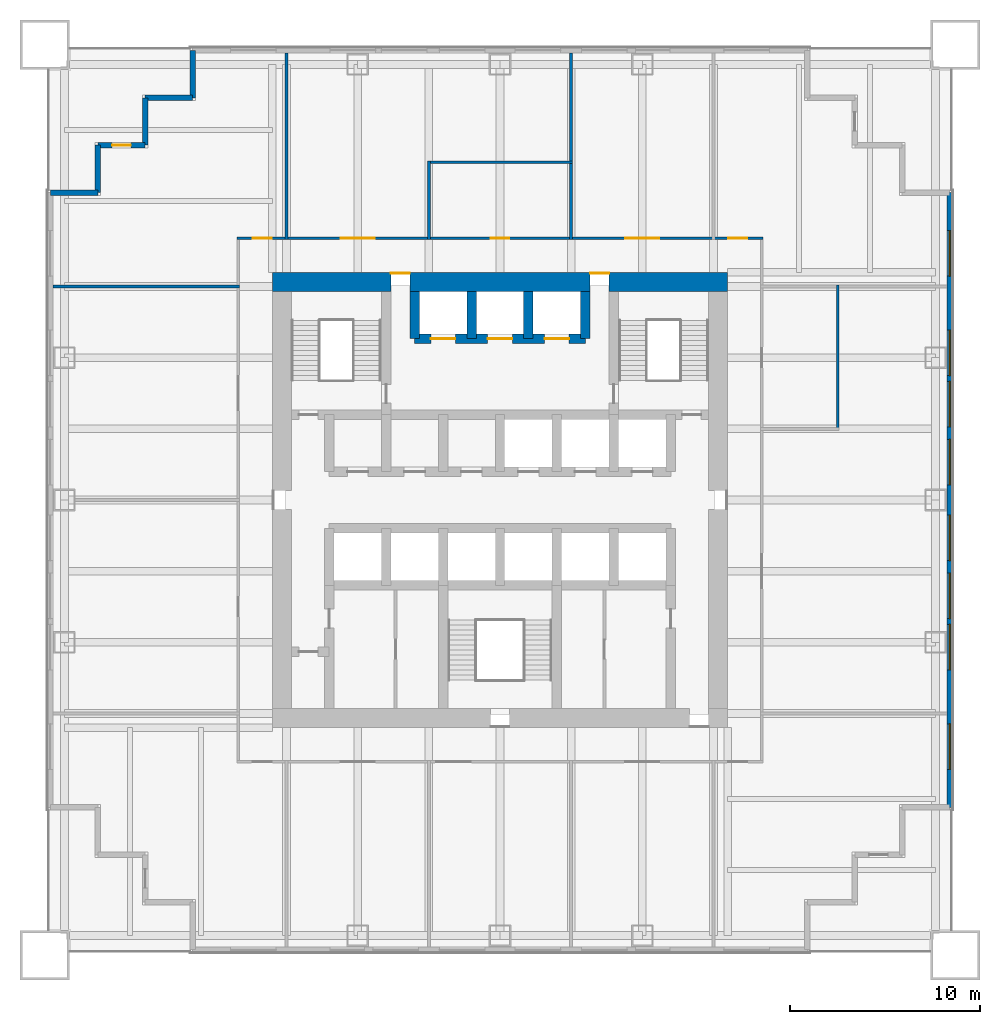
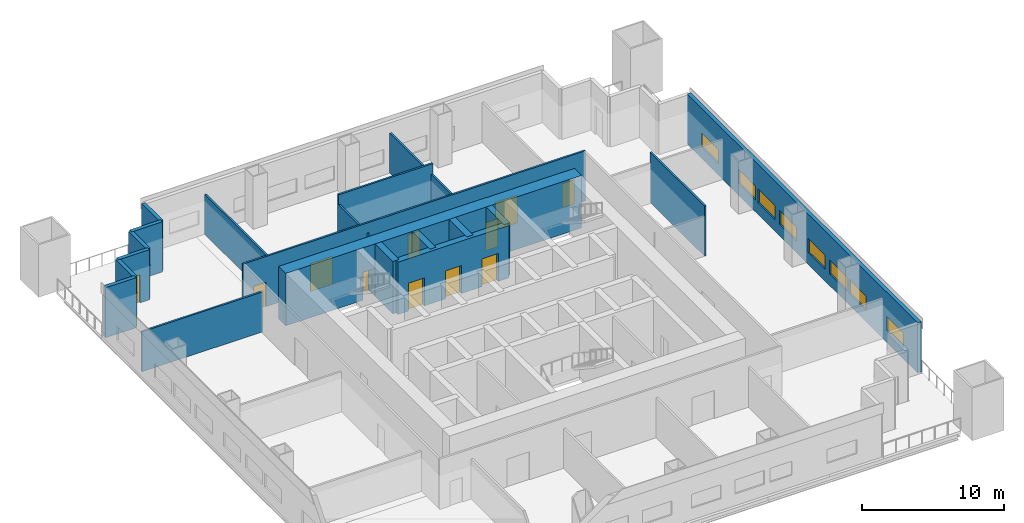
# One storey, part 4 of 7: 20 walls, 11 doors, 8 windows, 19 openings.
"""IFC4 building model written with IfcOpenShell, lengths in metres."""

import ifcopenshell
import ifcopenshell.guid

model = None  # the IFC model being written
_history = None  # IfcOwnerHistory: only IFC2X3 demands one
_inside = {}  # id of a spatial element -> (the spatial element, [elements in it])
_under = {}  # id of a project, library or spatial element -> (it, [spatial elements below it])
_declared = {}  # id of a project -> (the project, [libraries it declares])
_typed = {}  # id of a type object -> (the type object, [elements of that type])
_made_of = {}  # id of a material, layer set ... -> (it, [elements and type objects made of it])


def new_model(schema):
    """Start an empty IFC model of exactly this schema.

    Asked for "IFC4X3", IfcOpenShell would pick the latest addendum, in which some entities
    have other attributes; the version numbers below select the first issue.
    IFC2X3 requires an IfcOwnerHistory on every rooted entity: one is made here for all.
    """
    global model, _history
    if schema == "IFC4X3":
        model = ifcopenshell.file(schema_version=(4, 3, 0, 0))
    else:
        model = ifcopenshell.file(schema=schema)
    _inside.clear()
    _under.clear()
    _declared.clear()
    _typed.clear()
    _made_of.clear()
    _history = None
    if model.schema == "IFC2X3":
        org = make("IfcOrganization", Name="unknown")
        user = make(
            "IfcPersonAndOrganization",
            ThePerson=make("IfcPerson", FamilyName="unknown"),
            TheOrganization=org,
        )
        app = make(
            "IfcApplication",
            ApplicationDeveloper=org,
            Version="unknown",
            ApplicationFullName="unknown",
            ApplicationIdentifier="unknown",
        )
        _history = make(
            "IfcOwnerHistory",
            OwningUser=user,
            OwningApplication=app,
            ChangeAction="ADDED",
            CreationDate=0,
        )
    return model


def make(cls, **values):
    """One entity of the class cls with the attributes given. An attribute that is None is left unset."""
    return model.create_entity(
        cls, **{name: value for name, value in values.items() if value is not None}
    )


def rooted(cls, **values):
    """An entity with a GlobalId (a new one), such as an element, a storey or a relation."""
    return make(cls, GlobalId=ifcopenshell.guid.new(), OwnerHistory=_history, **values)


def si_unit(unit_type, name, prefix=None):
    """IfcSIUnit, for example si_unit("LENGTHUNIT", "METRE", prefix="MILLI")."""
    return make("IfcSIUnit", UnitType=unit_type, Prefix=prefix, Name=name)


def assignment(units):
    """IfcUnitAssignment: the units of a project."""
    return None if units is None else make("IfcUnitAssignment", Units=units)


def point(xyz):
    """IfcCartesianPoint."""
    return None if xyz is None else make("IfcCartesianPoint", Coordinates=xyz)


def direction(xyz):
    """IfcDirection."""
    return None if xyz is None else make("IfcDirection", DirectionRatios=xyz)


def frame(location, z_axis=None, x_axis=None):
    """IfcAxis2Placement3D, a coordinate frame: its origin and axes. An axis left out is left unset."""
    return make(
        "IfcAxis2Placement3D",
        Location=point(location),
        Axis=direction(z_axis),
        RefDirection=direction(x_axis),
    )


def frame_2d(location, x_axis=None):
    """IfcAxis2Placement2D, a coordinate frame in the plane: its origin and x axis."""
    return make(
        "IfcAxis2Placement2D", Location=point(location), RefDirection=direction(x_axis)
    )


def origin():
    """The frame at (0, 0, 0) with its axes left unset."""
    return frame((0.0, 0.0, 0.0))


def place(relative_to, where):
    """IfcLocalPlacement: puts the frame where relative to a parent placement (None: the world)."""
    return make(
        "IfcLocalPlacement", PlacementRelTo=relative_to, RelativePlacement=where
    )


def context(
    kind, dimensions, precision=None, world=None, true_north=None, identifier=None
):
    """IfcGeometricRepresentationContext, for example the 3D "Model" context."""
    return make(
        "IfcGeometricRepresentationContext",
        ContextIdentifier=identifier,
        ContextType=kind,
        CoordinateSpaceDimension=dimensions,
        Precision=precision,
        WorldCoordinateSystem=world,
        TrueNorth=true_north,
    )


def subcontext(parent, identifier, kind, view, scale=None):
    """IfcGeometricRepresentationSubContext, for example "Body" below "Model"."""
    return make(
        "IfcGeometricRepresentationSubContext",
        ContextIdentifier=identifier,
        ContextType=kind,
        ParentContext=parent,
        TargetScale=scale,
        TargetView=view,
    )


def project(units=None, contexts=None):
    """IfcProject with its units and contexts."""
    return rooted(
        "IfcProject",
        Name="project",
        RepresentationContexts=contexts,
        UnitsInContext=assignment(units),
    )


def spatial(cls, under=None, at=None, **own):
    """A site, building, storey or space (cls), placed at a placement, below another one or the project."""
    s = rooted(cls, ObjectPlacement=at, **own)
    if under is not None:
        _under.setdefault(under.id(), (under, []))[1].append(s)
    return s


def profile(cls, at=None, kind="AREA", **sizes):
    """A parametric profile (cls). Its sizes go by their IFC names, for example OverallWidth=200.0."""
    return make(cls, ProfileType=kind, Position=at, **sizes)


def rectangle(**sizes):
    """IfcRectangleProfileDef."""
    return profile("IfcRectangleProfileDef", **sizes)


def extrude(swept, where, along, depth):
    """IfcExtrudedAreaSolid: the profile swept, set in the frame where, extruded along a direction by depth."""
    return make(
        "IfcExtrudedAreaSolid",
        SweptArea=swept,
        Position=where,
        ExtrudedDirection=direction(along),
        Depth=depth,
    )


def shape(context_of_items, identifier, shape_type, items):
    """IfcShapeRepresentation: the items that make up one representation, for example the "Body"."""
    return make(
        "IfcShapeRepresentation",
        ContextOfItems=context_of_items,
        RepresentationIdentifier=identifier,
        RepresentationType=shape_type,
        Items=items,
    )


def material(Name=None, Category=None):
    """IfcMaterial."""
    return make("IfcMaterial", Name=Name, Category=Category)


def layer(
    of_material, thickness, ventilated=None, Name=None, Category=None, Priority=None
):
    """IfcMaterialLayer: one layer of a wall or slab, of a material (None: an air gap)."""
    return make(
        "IfcMaterialLayer",
        Material=of_material,
        LayerThickness=thickness,
        IsVentilated=ventilated,
        Name=Name,
        Category=Category,
        Priority=Priority,
    )


def layer_set(layers, Name=None):
    """IfcMaterialLayerSet."""
    return make("IfcMaterialLayerSet", MaterialLayers=layers, LayerSetName=Name)


def made_of(thing, what):
    """Note that an element or type object is made of a material, layer set ...; save() writes the relation."""
    if what is not None:
        _made_of.setdefault(what.id(), (what, []))[1].append(thing)
    return thing


def type_object(cls, material=None, **own):
    """A type object (cls), such as IfcWallType, which elements share."""
    return made_of(rooted(cls, **own), material)


def element(
    cls,
    number,
    at=None,
    inside=None,
    cuts=None,
    type_object=None,
    material=None,
    context=None,
    identifier="Body",
    shape_type=None,
    held_by="IfcProductDefinitionShape",
    body=None,
    shapes=None,
    **own,
):
    """One element of the class cls, such as IfcWall. Its Tag is "e" and its number.

    at: its placement. inside: the storey or other place that contains it. cuts: it is an
    opening in that element (IfcRelVoidsElement). A single representation is given by context,
    identifier, shape_type and body (its items); several are given by shapes. held_by: the class
    of the entity that holds the representations. save() writes the other relations.
    """
    e = rooted(cls, Tag="e%d" % number, ObjectPlacement=at, **own)
    if body is not None:
        shapes = [shape(context, identifier, shape_type, body)]
    if shapes is not None:
        e.Representation = make(held_by, Representations=shapes)
    if inside is not None:
        _inside.setdefault(inside.id(), (inside, []))[1].append(e)
    if cuts is not None:
        rooted(
            "IfcRelVoidsElement", RelatingBuildingElement=cuts, RelatedOpeningElement=e
        )
    if type_object is not None:
        _typed.setdefault(type_object.id(), (type_object, []))[1].append(e)
    return made_of(e, material)


def fill(opening, filler):
    """IfcRelFillsElement: the door or window that sits in an opening."""
    return rooted(
        "IfcRelFillsElement",
        RelatingOpeningElement=opening,
        RelatedBuildingElement=filler,
    )


def aggregate(whole, parts):
    """IfcRelAggregates: a whole, such as a stair, and the parts it consists of."""
    return rooted("IfcRelAggregates", RelatingObject=whole, RelatedObjects=parts)


def save(model, path):
    """Write the relations noted so far, then the file.

    IfcRelAggregates (storeys below a building ...), IfcRelContainedInSpatialStructure (elements
    in a storey), IfcRelDefinesByType, IfcRelAssociatesMaterial and IfcRelDeclares: one each for
    every whole, place, type object, material and project.
    """
    for whole, parts in _under.values():
        aggregate(whole, parts)
    for where, things in _inside.values():
        rooted(
            "IfcRelContainedInSpatialStructure",
            RelatedElements=things,
            RelatingStructure=where,
        )
    for kind, things in _typed.values():
        rooted("IfcRelDefinesByType", RelatedObjects=things, RelatingType=kind)
    for what, things in _made_of.values():
        rooted("IfcRelAssociatesMaterial", RelatedObjects=things, RelatingMaterial=what)
    for by, libraries in _declared.values():
        rooted("IfcRelDeclares", RelatingContext=by, RelatedDefinitions=libraries)
    model.write(path)


model = new_model("IFC4")

# Units and contexts
model_context = context("Model", 3, precision=1e-05, world=origin(), true_north=direction((0.0, 1.0)))
body_context = subcontext(model_context, "Body", "Model", "MODEL_VIEW")
ifc_project = project(units=[si_unit("LENGTHUNIT", "METRE"), si_unit("AREAUNIT", "SQUARE_METRE"), si_unit("VOLUMEUNIT", "CUBIC_METRE"), si_unit("PLANEANGLEUNIT", "RADIAN"), si_unit("MASSUNIT", "GRAM", prefix="KILO")], contexts=[model_context])

# Site, building, storey
site_placement = place(None, origin())
site = spatial("IfcSite", under=ifc_project, at=site_placement, CompositionType="ELEMENT")
building_placement = place(site_placement, origin())
building = spatial("IfcBuilding", under=site, at=building_placement, Name="Tarangal Relay Tower", CompositionType="ELEMENT")
storey_placement = place(building_placement, frame((0.0, 0.0, 126.89990234375)))
storey = spatial("IfcBuildingStorey", under=building, at=storey_placement, Name="L25", CompositionType="ELEMENT", Elevation=126.89990234375)

# Wall, openings, doors
ifc_material_1 = material(Name="Concrete fc' 60 MPa", Category="concrete")
ifc_layer_1 = layer(ifc_material_1, 0.5)
ifc_layer_set_1 = layer_set([ifc_layer_1], Name="Core inner wall 500")
wall_type_1 = type_object("IfcWallType", Name="Core inner wall 500", PredefinedType="SHEAR", material=ifc_layer_set_1)
wall_1_placement = place(storey_placement, frame((-4.5, 8.5, 0.0), z_axis=(0.0, 0.0, 1.0), x_axis=(1.0, 0.0, 0.0)))
wall_1 = element("IfcWall", 1, at=wall_1_placement, inside=storey, type_object=wall_type_1, Name="Core wall Y85 L25", PredefinedType="SHEAR", context=body_context, shape_type="SweptSolid", body=[
    extrude(rectangle(XDim=9.0, YDim=0.5, at=frame_2d((4.5, 0.0))), origin(), (0.0, 0.0, 1.0), 4.5),
])
opening_1_placement = place(wall_1_placement, frame((0.85009765625, 0.0, 0.0)))
opening_1 = element("IfcOpeningElement", 2, at=opening_1_placement, cuts=wall_1, Name="Opening LD2", PredefinedType="OPENING", context=body_context, shape_type="SweptSolid", body=[
    extrude(rectangle(XDim=1.300048828125, YDim=2.39990234375, at=frame_2d((0.64990234375, 1.199951171875))), frame((0.0, 0.260009765625, 0.0), z_axis=(0.0, -1.0, 0.0), x_axis=(1.0, 0.0, 0.0)), (0.0, 0.0, 1.0), 0.52001953125),
])
opening_2_placement = place(wall_1_placement, frame((6.85009765625, 0.0, 0.0)))
opening_2 = element("IfcOpeningElement", 3, at=opening_2_placement, cuts=wall_1, Name="Opening LD2", PredefinedType="OPENING", context=body_context, shape_type="SweptSolid", body=[
    extrude(rectangle(XDim=1.300048828125, YDim=2.39990234375, at=frame_2d((0.64990234375, 1.199951171875))), frame((0.0, 0.260009765625, 0.0), z_axis=(0.0, -1.0, 0.0), x_axis=(1.0, 0.0, 0.0)), (0.0, 0.0, 1.0), 0.52001953125),
])
opening_3_placement = place(wall_1_placement, frame((3.85009765625, 0.0, 0.0)))
opening_3 = element("IfcOpeningElement", 4, at=opening_3_placement, cuts=wall_1, Name="Opening LD2", PredefinedType="OPENING", context=body_context, shape_type="SweptSolid", body=[
    extrude(rectangle(XDim=1.300048828125, YDim=2.39990234375, at=frame_2d((0.64990234375, 1.199951171875))), frame((0.0, 0.260009765625, 0.0), z_axis=(0.0, -1.0, 0.0), x_axis=(1.0, 0.0, 0.0)), (0.0, 0.0, 1.0), 0.52001953125),
])
ifc_material_2 = material(Name="Steel door with hardwood frame", Category="steel")
door_type_1 = type_object("IfcDoorType", Name="Lift landing door 1300 x 2400", OperationType="SLIDING_TO_LEFT", PredefinedType="DOOR", material=ifc_material_2)
door_1_placement = place(opening_1_placement, origin())
door_1 = element("IfcDoor", 5, at=door_1_placement, inside=storey, type_object=door_type_1, Name="Lift FF1 landing door L25", OperationType="SLIDING_TO_LEFT", OverallHeight=2.39990234375, OverallWidth=1.300048828125, PredefinedType="DOOR", context=body_context, shape_type="SweptSolid", body=[
    extrude(rectangle(XDim=1.300048828125, YDim=2.39990234375, at=frame_2d((0.64990234375, 1.199951171875))), frame((0.0, 0.02490234375, 0.0), z_axis=(0.0, -1.0, 0.0), x_axis=(1.0, 0.0, 0.0)), (0.0, 0.0, 1.0), 0.050048828125),
])
fill(opening_1, door_1)
door_2_placement = place(opening_2_placement, origin())
door_2 = element("IfcDoor", 6, at=door_2_placement, inside=storey, type_object=door_type_1, Name="Lift FF2 landing door L25", OperationType="SLIDING_TO_LEFT", OverallHeight=2.39990234375, OverallWidth=1.300048828125, PredefinedType="DOOR", context=body_context, shape_type="SweptSolid", body=[
    extrude(rectangle(XDim=1.300048828125, YDim=2.39990234375, at=frame_2d((0.64990234375, 1.199951171875))), frame((0.0, 0.02490234375, 0.0), z_axis=(0.0, -1.0, 0.0), x_axis=(1.0, 0.0, 0.0)), (0.0, 0.0, 1.0), 0.050048828125),
])
fill(opening_2, door_2)
door_3_placement = place(opening_3_placement, origin())
door_3 = element("IfcDoor", 7, at=door_3_placement, inside=storey, type_object=door_type_1, Name="Lift SV1 landing door L25", OperationType="SLIDING_TO_LEFT", OverallHeight=2.39990234375, OverallWidth=1.300048828125, PredefinedType="DOOR", context=body_context, shape_type="SweptSolid", body=[
    extrude(rectangle(XDim=1.300048828125, YDim=2.39990234375, at=frame_2d((0.64990234375, 1.199951171875))), frame((0.0, 0.02490234375, 0.0), z_axis=(0.0, -1.0, 0.0), x_axis=(1.0, 0.0, 0.0)), (0.0, 0.0, 1.0), 0.050048828125),
])
fill(opening_3, door_3)

# Walls
for number, where, z_axis, x_axis, name in (
    (8, (-4.5, 8.5, 0.0), (0.0, 0.0, 1.0), (0.0, 1.0, 0.0), "Core wall XM45 L25"),
    (9, (4.5, 8.5, 0.0), (0.0, 0.0, 1.0), (0.0, 1.0, 0.0), "Core wall X45 L25"),
    (10, (-1.5, 8.5, 0.0), (0.0, 0.0, 1.0), (0.0, 1.0, 0.0), "Core wall XM15 L25"),
    (11, (1.5, 8.5, 0.0), (0.0, 0.0, 1.0), (0.0, 1.0, 0.0), "Core wall X15 L25"),
):
    element("IfcWall", number, at=place(storey_placement, frame(where, z_axis=z_axis, x_axis=x_axis)), inside=storey, type_object=wall_type_1, Name=name, PredefinedType="SHEAR", context=body_context, shape_type="SweptSolid", body=[
        extrude(rectangle(XDim=2.5, YDim=0.5, at=frame_2d((1.25, 0.0))), origin(), (0.0, 0.0, 1.0), 4.5),
    ])

# Wall, openings, doors
ifc_layer_2 = layer(ifc_material_1, 1.0)
ifc_layer_set_2 = layer_set([ifc_layer_2], Name="Core wall 1000")
wall_type_2 = type_object("IfcWallType", Name="Core wall 1000", PredefinedType="SHEAR", material=ifc_layer_set_2)
wall_2_placement = place(storey_placement, frame((-12.0, 11.5, 0.0), z_axis=(0.0, 0.0, 1.0), x_axis=(1.0, 0.0, 0.0)))
wall_2 = element("IfcWall", 12, at=wall_2_placement, inside=storey, type_object=wall_type_2, Name="Core wall N L25", PredefinedType="SHEAR", context=body_context, shape_type="SweptSolid", body=[
    extrude(rectangle(XDim=24.0, YDim=1.0, at=frame_2d((12.0, 0.0))), origin(), (0.0, 0.0, 1.0), 4.5),
])
opening_4_placement = place(wall_2_placement, frame((6.25, 0.0, 0.0)))
opening_4 = element("IfcOpeningElement", 13, at=opening_4_placement, cuts=wall_2, Name="Opening FD3", PredefinedType="OPENING", context=body_context, shape_type="SweptSolid", body=[
    extrude(rectangle(XDim=1.0, YDim=2.39990234375, at=frame_2d((0.5, 1.199951171875))), frame((0.0, 0.510009765625, 0.0), z_axis=(0.0, -1.0, 0.0), x_axis=(1.0, 0.0, 0.0)), (0.0, 0.0, 1.0), 1.02001953125),
])
opening_5_placement = place(wall_2_placement, frame((16.75, 0.0, 0.0)))
opening_5 = element("IfcOpeningElement", 14, at=opening_5_placement, cuts=wall_2, Name="Opening FD3", PredefinedType="OPENING", context=body_context, shape_type="SweptSolid", body=[
    extrude(rectangle(XDim=1.0, YDim=2.39990234375, at=frame_2d((0.5, 1.199951171875))), frame((0.0, 0.510009765625, 0.0), z_axis=(0.0, -1.0, 0.0), x_axis=(1.0, 0.0, 0.0)), (0.0, 0.0, 1.0), 1.02001953125),
])
door_type_2 = type_object("IfcDoorType", Name="Fire door 1000 x 2400 core entry", OperationType="SINGLE_SWING_RIGHT", PredefinedType="DOOR", material=ifc_material_2)
door_4_placement = place(opening_4_placement, origin())
door_4 = element("IfcDoor", 15, at=door_4_placement, inside=storey, type_object=door_type_2, Name="Core entry door north west L25", OperationType="SINGLE_SWING_RIGHT", OverallHeight=2.39990234375, OverallWidth=1.0, PredefinedType="DOOR", context=body_context, shape_type="SweptSolid", body=[
    extrude(rectangle(XDim=1.0, YDim=2.39990234375, at=frame_2d((0.5, 1.199951171875))), frame((0.0, 0.48486328125, 0.0), z_axis=(0.0, -1.0, 0.0), x_axis=(1.0, 0.0, 0.0)), (0.0, 0.0, 1.0), 0.050048828125),
])
fill(opening_4, door_4)
door_5_placement = place(opening_5_placement, origin())
door_5 = element("IfcDoor", 16, at=door_5_placement, inside=storey, type_object=door_type_2, Name="Core entry door north east L25", OperationType="SINGLE_SWING_RIGHT", OverallHeight=2.39990234375, OverallWidth=1.0, PredefinedType="DOOR", context=body_context, shape_type="SweptSolid", body=[
    extrude(rectangle(XDim=1.0, YDim=2.39990234375, at=frame_2d((0.5, 1.199951171875))), frame((0.0, 0.48486328125, 0.0), z_axis=(0.0, -1.0, 0.0), x_axis=(1.0, 0.0, 0.0)), (0.0, 0.0, 1.0), 0.050048828125),
])
fill(opening_5, door_5)

# Wall, openings, windows
ifc_material_3 = material(Name="Insulated precast concrete fc' 40 MPa", Category="concrete")
ifc_layer_3 = layer(ifc_material_3, 0.300048828125)
ifc_layer_set_3 = layer_set([ifc_layer_3], Name="Insulated precast concrete fc' 40 MPa")
wall_type_3 = type_object("IfcWallType", Name="Facade wall precast 300", PredefinedType="SOLIDWALL", material=ifc_layer_set_3)
wall_3_placement = place(storey_placement, frame((23.699951171875, 16.199951171875, 0.0), z_axis=(0.0, 0.0, 1.0), x_axis=(0.0, -1.0, 0.0)))
wall_3 = element("IfcWall", 17, at=wall_3_placement, inside=storey, type_object=wall_type_3, Name="Facade wall E facade L25", PredefinedType="SOLIDWALL", context=body_context, shape_type="SweptSolid", body=[
    extrude(rectangle(XDim=32.39990234375, YDim=0.300048828125, at=frame_2d((16.199951171875, 0.0))), origin(), (0.0, 0.0, 1.0), 4.300048828125),
])
opening_6_placement = place(wall_3_placement, frame((2.0, 0.0, 1.0)))
opening_6 = element("IfcOpeningElement", 18, at=opening_6_placement, cuts=wall_3, Name="Opening WN1", PredefinedType="OPENING", context=body_context, shape_type="SweptSolid", body=[
    extrude(rectangle(XDim=2.39990234375, YDim=1.199951171875, at=frame_2d((1.199951171875, 0.60009765625))), frame((0.0, 0.159912109375, 0.0), z_axis=(0.0, -1.0, 0.0), x_axis=(1.0, 0.0, 0.0)), (0.0, 0.0, 1.0), 0.320068359375),
])
opening_7_placement = place(wall_3_placement, frame((7.25, 0.0, 1.0)))
opening_7 = element("IfcOpeningElement", 19, at=opening_7_placement, cuts=wall_3, Name="Opening WN1", PredefinedType="OPENING", context=body_context, shape_type="SweptSolid", body=[
    extrude(rectangle(XDim=2.39990234375, YDim=1.199951171875, at=frame_2d((1.199951171875, 0.60009765625))), frame((0.0, 0.159912109375, 0.0), z_axis=(0.0, -1.0, 0.0), x_axis=(1.0, 0.0, 0.0)), (0.0, 0.0, 1.0), 0.320068359375),
])
opening_8_placement = place(wall_3_placement, frame((9.949951171875, 0.0, 1.0)))
opening_8 = element("IfcOpeningElement", 20, at=opening_8_placement, cuts=wall_3, Name="Opening WN1", PredefinedType="OPENING", context=body_context, shape_type="SweptSolid", body=[
    extrude(rectangle(XDim=2.39990234375, YDim=1.199951171875, at=frame_2d((1.199951171875, 0.60009765625))), frame((0.0, 0.159912109375, 0.0), z_axis=(0.0, -1.0, 0.0), x_axis=(1.0, 0.0, 0.0)), (0.0, 0.0, 1.0), 0.320068359375),
])
opening_9_placement = place(wall_3_placement, frame((13.0, 0.0, 1.0)))
opening_9 = element("IfcOpeningElement", 21, at=opening_9_placement, cuts=wall_3, Name="Opening WN1", PredefinedType="OPENING", context=body_context, shape_type="SweptSolid", body=[
    extrude(rectangle(XDim=2.39990234375, YDim=1.199951171875, at=frame_2d((1.199951171875, 0.60009765625))), frame((0.0, 0.159912109375, 0.0), z_axis=(0.0, -1.0, 0.0), x_axis=(1.0, 0.0, 0.0)), (0.0, 0.0, 1.0), 0.320068359375),
])
opening_10_placement = place(wall_3_placement, frame((17.0, 0.0, 1.0)))
opening_10 = element("IfcOpeningElement", 22, at=opening_10_placement, cuts=wall_3, Name="Opening WN1", PredefinedType="OPENING", context=body_context, shape_type="SweptSolid", body=[
    extrude(rectangle(XDim=2.39990234375, YDim=1.199951171875, at=frame_2d((1.199951171875, 0.60009765625))), frame((0.0, 0.159912109375, 0.0), z_axis=(0.0, -1.0, 0.0), x_axis=(1.0, 0.0, 0.0)), (0.0, 0.0, 1.0), 0.320068359375),
])
opening_11_placement = place(wall_3_placement, frame((20.050048828125, 0.0, 1.0)))
opening_11 = element("IfcOpeningElement", 23, at=opening_11_placement, cuts=wall_3, Name="Opening WN1", PredefinedType="OPENING", context=body_context, shape_type="SweptSolid", body=[
    extrude(rectangle(XDim=2.39990234375, YDim=1.199951171875, at=frame_2d((1.199951171875, 0.60009765625))), frame((0.0, 0.159912109375, 0.0), z_axis=(0.0, -1.0, 0.0), x_axis=(1.0, 0.0, 0.0)), (0.0, 0.0, 1.0), 0.320068359375),
])
opening_12_placement = place(wall_3_placement, frame((22.75, 0.0, 1.0)))
opening_12 = element("IfcOpeningElement", 24, at=opening_12_placement, cuts=wall_3, Name="Opening WN1", PredefinedType="OPENING", context=body_context, shape_type="SweptSolid", body=[
    extrude(rectangle(XDim=2.39990234375, YDim=1.199951171875, at=frame_2d((1.199951171875, 0.60009765625))), frame((0.0, 0.159912109375, 0.0), z_axis=(0.0, -1.0, 0.0), x_axis=(1.0, 0.0, 0.0)), (0.0, 0.0, 1.0), 0.320068359375),
])
opening_13_placement = place(wall_3_placement, frame((28.0, 0.0, 1.0)))
opening_13 = element("IfcOpeningElement", 25, at=opening_13_placement, cuts=wall_3, Name="Opening WN1", PredefinedType="OPENING", context=body_context, shape_type="SweptSolid", body=[
    extrude(rectangle(XDim=2.39990234375, YDim=1.199951171875, at=frame_2d((1.199951171875, 0.60009765625))), frame((0.0, 0.159912109375, 0.0), z_axis=(0.0, -1.0, 0.0), x_axis=(1.0, 0.0, 0.0)), (0.0, 0.0, 1.0), 0.320068359375),
])
ifc_material_4 = material(Name="Dark tinted double glazing in black aluminium frame", Category="aluminium")
window_type = type_object("IfcWindowType", Name="Ribbon window 2400 x 1200", PartitioningType="SINGLE_PANEL", PredefinedType="WINDOW", material=ifc_material_4)
window_1_placement = place(opening_6_placement, origin())
window_1 = element("IfcWindow", 26, at=window_1_placement, inside=storey, type_object=window_type, Name="Ribbon window WN1 E facade L25", OverallHeight=1.199951171875, OverallWidth=2.39990234375, PartitioningType="SINGLE_PANEL", PredefinedType="WINDOW", context=body_context, shape_type="SweptSolid", body=[
    extrude(rectangle(XDim=2.39990234375, YDim=1.199951171875, at=frame_2d((1.199951171875, 0.60009765625))), frame((0.0, 0.030029296875, 0.0), z_axis=(0.0, -1.0, 0.0), x_axis=(1.0, 0.0, 0.0)), (0.0, 0.0, 1.0), 0.06005859375),
])
fill(opening_6, window_1)
window_2_placement = place(opening_7_placement, origin())
window_2 = element("IfcWindow", 27, at=window_2_placement, inside=storey, type_object=window_type, Name="Ribbon window WN1 E facade L25", OverallHeight=1.199951171875, OverallWidth=2.39990234375, PartitioningType="SINGLE_PANEL", PredefinedType="WINDOW", context=body_context, shape_type="SweptSolid", body=[
    extrude(rectangle(XDim=2.39990234375, YDim=1.199951171875, at=frame_2d((1.199951171875, 0.60009765625))), frame((0.0, 0.030029296875, 0.0), z_axis=(0.0, -1.0, 0.0), x_axis=(1.0, 0.0, 0.0)), (0.0, 0.0, 1.0), 0.06005859375),
])
fill(opening_7, window_2)
window_3_placement = place(opening_8_placement, origin())
window_3 = element("IfcWindow", 28, at=window_3_placement, inside=storey, type_object=window_type, Name="Ribbon window WN1 E facade L25", OverallHeight=1.199951171875, OverallWidth=2.39990234375, PartitioningType="SINGLE_PANEL", PredefinedType="WINDOW", context=body_context, shape_type="SweptSolid", body=[
    extrude(rectangle(XDim=2.39990234375, YDim=1.199951171875, at=frame_2d((1.199951171875, 0.60009765625))), frame((0.0, 0.030029296875, 0.0), z_axis=(0.0, -1.0, 0.0), x_axis=(1.0, 0.0, 0.0)), (0.0, 0.0, 1.0), 0.06005859375),
])
fill(opening_8, window_3)
window_4_placement = place(opening_9_placement, origin())
window_4 = element("IfcWindow", 29, at=window_4_placement, inside=storey, type_object=window_type, Name="Ribbon window WN1 E facade L25", OverallHeight=1.199951171875, OverallWidth=2.39990234375, PartitioningType="SINGLE_PANEL", PredefinedType="WINDOW", context=body_context, shape_type="SweptSolid", body=[
    extrude(rectangle(XDim=2.39990234375, YDim=1.199951171875, at=frame_2d((1.199951171875, 0.60009765625))), frame((0.0, 0.030029296875, 0.0), z_axis=(0.0, -1.0, 0.0), x_axis=(1.0, 0.0, 0.0)), (0.0, 0.0, 1.0), 0.06005859375),
])
fill(opening_9, window_4)
window_5_placement = place(opening_10_placement, origin())
window_5 = element("IfcWindow", 30, at=window_5_placement, inside=storey, type_object=window_type, Name="Ribbon window WN1 E facade L25", OverallHeight=1.199951171875, OverallWidth=2.39990234375, PartitioningType="SINGLE_PANEL", PredefinedType="WINDOW", context=body_context, shape_type="SweptSolid", body=[
    extrude(rectangle(XDim=2.39990234375, YDim=1.199951171875, at=frame_2d((1.199951171875, 0.60009765625))), frame((0.0, 0.030029296875, 0.0), z_axis=(0.0, -1.0, 0.0), x_axis=(1.0, 0.0, 0.0)), (0.0, 0.0, 1.0), 0.06005859375),
])
fill(opening_10, window_5)
window_6_placement = place(opening_11_placement, origin())
window_6 = element("IfcWindow", 31, at=window_6_placement, inside=storey, type_object=window_type, Name="Ribbon window WN1 E facade L25", OverallHeight=1.199951171875, OverallWidth=2.39990234375, PartitioningType="SINGLE_PANEL", PredefinedType="WINDOW", context=body_context, shape_type="SweptSolid", body=[
    extrude(rectangle(XDim=2.39990234375, YDim=1.199951171875, at=frame_2d((1.199951171875, 0.60009765625))), frame((0.0, 0.030029296875, 0.0), z_axis=(0.0, -1.0, 0.0), x_axis=(1.0, 0.0, 0.0)), (0.0, 0.0, 1.0), 0.06005859375),
])
fill(opening_11, window_6)
window_7_placement = place(opening_12_placement, origin())
window_7 = element("IfcWindow", 32, at=window_7_placement, inside=storey, type_object=window_type, Name="Ribbon window WN1 E facade L25", OverallHeight=1.199951171875, OverallWidth=2.39990234375, PartitioningType="SINGLE_PANEL", PredefinedType="WINDOW", context=body_context, shape_type="SweptSolid", body=[
    extrude(rectangle(XDim=2.39990234375, YDim=1.199951171875, at=frame_2d((1.199951171875, 0.60009765625))), frame((0.0, 0.030029296875, 0.0), z_axis=(0.0, -1.0, 0.0), x_axis=(1.0, 0.0, 0.0)), (0.0, 0.0, 1.0), 0.06005859375),
])
fill(opening_12, window_7)
window_8_placement = place(opening_13_placement, origin())
window_8 = element("IfcWindow", 33, at=window_8_placement, inside=storey, type_object=window_type, Name="Ribbon window WN1 E facade L25", OverallHeight=1.199951171875, OverallWidth=2.39990234375, PartitioningType="SINGLE_PANEL", PredefinedType="WINDOW", context=body_context, shape_type="SweptSolid", body=[
    extrude(rectangle(XDim=2.39990234375, YDim=1.199951171875, at=frame_2d((1.199951171875, 0.60009765625))), frame((0.0, 0.030029296875, 0.0), z_axis=(0.0, -1.0, 0.0), x_axis=(1.0, 0.0, 0.0)), (0.0, 0.0, 1.0), 0.06005859375),
])
fill(opening_13, window_8)

# Walls
for number, where, z_axis, x_axis, name in (
    (34, (-23.699951171875, 16.199951171875, 0.0), (0.0, 0.0, 1.0), (1.0, 0.0, 0.0), "Facade wall W facade L25"),
    (35, (-21.199951171875, 16.199951171875, 0.0), (0.0, 0.0, 1.0), (0.0, 1.0, 0.0), "Facade wall W facade L25"),
):
    element("IfcWall", number, at=place(storey_placement, frame(where, z_axis=z_axis, x_axis=x_axis)), inside=storey, type_object=wall_type_3, Name=name, PredefinedType="SOLIDWALL", context=body_context, shape_type="SweptSolid", body=[
        extrude(rectangle(XDim=2.5, YDim=0.300048828125, at=frame_2d((1.25, 0.0))), origin(), (0.0, 0.0, 1.0), 4.300048828125),
    ])

# Wall, opening, door
wall_4_placement = place(storey_placement, frame((-21.199951171875, 18.699951171875, 0.0), z_axis=(0.0, 0.0, 1.0), x_axis=(1.0, 0.0, 0.0)))
wall_4 = element("IfcWall", 36, at=wall_4_placement, inside=storey, type_object=wall_type_3, Name="Facade wall W facade L25", PredefinedType="SOLIDWALL", context=body_context, shape_type="SweptSolid", body=[
    extrude(rectangle(XDim=2.5, YDim=0.300048828125, at=frame_2d((1.25, 0.0))), origin(), (0.0, 0.0, 1.0), 4.300048828125),
])
opening_14_placement = place(wall_4_placement, frame((0.75, 0.0, 0.0)))
opening_14 = element("IfcOpeningElement", 37, at=opening_14_placement, cuts=wall_4, Name="Opening TD1", PredefinedType="OPENING", context=body_context, shape_type="SweptSolid", body=[
    extrude(rectangle(XDim=1.0, YDim=2.39990234375, at=frame_2d((0.5, 1.199951171875))), frame((0.0, 0.159912109375, 0.0), z_axis=(0.0, -1.0, 0.0), x_axis=(1.0, 0.0, 0.0)), (0.0, 0.0, 1.0), 0.320068359375),
])
ifc_material_5 = material(Name="Aluminium glazed door", Category="aluminium")
door_type_3 = type_object("IfcDoorType", Name="Terrace door 1000 x 2400", OperationType="SINGLE_SWING_RIGHT", PredefinedType="DOOR", material=ifc_material_5)
door_6_placement = place(opening_14_placement, origin())
door_6 = element("IfcDoor", 38, at=door_6_placement, inside=storey, type_object=door_type_3, Name="Terrace door TD1 NW L25", OperationType="SINGLE_SWING_RIGHT", OverallHeight=2.39990234375, OverallWidth=1.0, PredefinedType="DOOR", context=body_context, shape_type="SweptSolid", body=[
    extrude(rectangle(XDim=1.0, YDim=2.39990234375, at=frame_2d((0.5, 1.199951171875))), frame((0.0, 0.02490234375, 0.0), z_axis=(0.0, -1.0, 0.0), x_axis=(1.0, 0.0, 0.0)), (0.0, 0.0, 1.0), 0.050048828125),
])
fill(opening_14, door_6)

# Walls
for number, where, z_axis, x_axis, name in (
    (39, (-18.699951171875, 18.699951171875, 0.0), (0.0, 0.0, 1.0), (0.0, 1.0, 0.0), "Facade wall W facade L25"),
    (40, (-18.699951171875, 21.199951171875, 0.0), (0.0, 0.0, 1.0), (1.0, 0.0, 0.0), "Facade wall W facade L25"),
    (41, (-16.199951171875, 21.199951171875, 0.0), (0.0, 0.0, 1.0), (0.0, 1.0, 0.0), "Facade wall W facade L25"),
):
    element("IfcWall", number, at=place(storey_placement, frame(where, z_axis=z_axis, x_axis=x_axis)), inside=storey, type_object=wall_type_3, Name=name, PredefinedType="SOLIDWALL", context=body_context, shape_type="SweptSolid", body=[
        extrude(rectangle(XDim=2.5, YDim=0.300048828125, at=frame_2d((1.25, 0.0))), origin(), (0.0, 0.0, 1.0), 4.300048828125),
    ])
ifc_material_6 = material(Name="Gypsum board on steel studs", Category="steel")
ifc_layer_4 = layer(ifc_material_6, 0.14990234375)
ifc_layer_set_4 = layer_set([ifc_layer_4], Name="Partition 150")
wall_type_4 = type_object("IfcWallType", Name="Partition 150", PredefinedType="PARTITIONING", material=ifc_layer_set_4)
wall_5_placement = place(storey_placement, frame((-23.550048828125, 11.25, 0.0), z_axis=(0.0, 0.0, 1.0), x_axis=(1.0, 0.0, 0.0)))
element("IfcWall", 42, at=wall_5_placement, inside=storey, type_object=wall_type_4, Name="Partition PT1 L25", PredefinedType="PARTITIONING", context=body_context, shape_type="SweptSolid", body=[
    extrude(rectangle(XDim=9.824951171875, YDim=0.14990234375, at=frame_2d((4.91259765625, 0.0))), origin(), (0.0, 0.0, 1.0), 3.431396484375),
])

# Wall, openings, doors
wall_6_placement = place(storey_placement, frame((-13.875, 13.800048828125, 0.0), z_axis=(0.0, 0.0, 1.0), x_axis=(1.0, 0.0, 0.0)))
wall_6 = element("IfcWall", 43, at=wall_6_placement, inside=storey, type_object=wall_type_4, Name="Partition PT1 L25", PredefinedType="PARTITIONING", context=body_context, shape_type="SweptSolid", body=[
    extrude(rectangle(XDim=27.75, YDim=0.14990234375, at=frame_2d((13.875, 0.0))), origin(), (0.0, 0.0, 1.0), 4.300048828125),
])
opening_15_placement = place(wall_6_placement, frame((5.47509765625, 0.0, 0.0)))
opening_15 = element("IfcOpeningElement", 44, at=opening_15_placement, cuts=wall_6, Name="Opening DD1", PredefinedType="OPENING", context=body_context, shape_type="SweptSolid", body=[
    extrude(rectangle(XDim=1.800048828125, YDim=2.39990234375, at=frame_2d((0.89990234375, 1.199951171875))), frame((0.0, 0.0849609375, 0.0), z_axis=(0.0, -1.0, 0.0), x_axis=(1.0, 0.0, 0.0)), (0.0, 0.0, 1.0), 0.169921875),
])
opening_16_placement = place(wall_6_placement, frame((13.375, 0.0, 0.0)))
opening_16 = element("IfcOpeningElement", 45, at=opening_16_placement, cuts=wall_6, Name="Opening D2", PredefinedType="OPENING", context=body_context, shape_type="SweptSolid", body=[
    extrude(rectangle(XDim=1.0, YDim=2.10009765625, at=frame_2d((0.5, 1.050048828125))), frame((0.0, 0.0849609375, 0.0), z_axis=(0.0, -1.0, 0.0), x_axis=(1.0, 0.0, 0.0)), (0.0, 0.0, 1.0), 0.169921875),
])
opening_17_placement = place(wall_6_placement, frame((20.47509765625, 0.0, 0.0)))
opening_17 = element("IfcOpeningElement", 46, at=opening_17_placement, cuts=wall_6, Name="Opening DD1", PredefinedType="OPENING", context=body_context, shape_type="SweptSolid", body=[
    extrude(rectangle(XDim=1.800048828125, YDim=2.39990234375, at=frame_2d((0.89990234375, 1.199951171875))), frame((0.0, 0.0849609375, 0.0), z_axis=(0.0, -1.0, 0.0), x_axis=(1.0, 0.0, 0.0)), (0.0, 0.0, 1.0), 0.169921875),
])
opening_18_placement = place(wall_6_placement, frame((25.89990234375, 0.0, 0.0)))
opening_18 = element("IfcOpeningElement", 47, at=opening_18_placement, cuts=wall_6, Name="Opening D2", PredefinedType="OPENING", context=body_context, shape_type="SweptSolid", body=[
    extrude(rectangle(XDim=1.0, YDim=2.10009765625, at=frame_2d((0.5, 1.050048828125))), frame((0.0, 0.0849609375, 0.0), z_axis=(0.0, -1.0, 0.0), x_axis=(1.0, 0.0, 0.0)), (0.0, 0.0, 1.0), 0.169921875),
])
opening_19_placement = place(wall_6_placement, frame((0.85009765625, 0.0, 0.0)))
opening_19 = element("IfcOpeningElement", 48, at=opening_19_placement, cuts=wall_6, Name="Opening D2", PredefinedType="OPENING", context=body_context, shape_type="SweptSolid", body=[
    extrude(rectangle(XDim=1.0, YDim=2.10009765625, at=frame_2d((0.5, 1.050048828125))), frame((0.0, 0.0849609375, 0.0), z_axis=(0.0, -1.0, 0.0), x_axis=(1.0, 0.0, 0.0)), (0.0, 0.0, 1.0), 0.169921875),
])
ifc_material_7 = material(Name="Hardwood door", Category="wood")
door_type_4 = type_object("IfcDoorType", Name="Door 1000 x 2100", OperationType="SINGLE_SWING_LEFT", PredefinedType="DOOR", material=ifc_material_7)
door_7_placement = place(opening_16_placement, origin())
door_7 = element("IfcDoor", 49, at=door_7_placement, inside=storey, type_object=door_type_4, Name="Door D2 to carrier meeting room L25-03", OperationType="SINGLE_SWING_LEFT", OverallHeight=2.10009765625, OverallWidth=1.0, PredefinedType="DOOR", context=body_context, shape_type="SweptSolid", body=[
    extrude(rectangle(XDim=1.0, YDim=2.10009765625, at=frame_2d((0.5, 1.050048828125))), frame((0.0, 0.02490234375, 0.0), z_axis=(0.0, -1.0, 0.0), x_axis=(1.0, 0.0, 0.0)), (0.0, 0.0, 1.0), 0.050048828125),
])
fill(opening_16, door_7)
door_8_placement = place(opening_18_placement, origin())
door_8 = element("IfcDoor", 50, at=door_8_placement, inside=storey, type_object=door_type_4, Name="Door D2 to carrier staff office L25-12", OperationType="SINGLE_SWING_LEFT", OverallHeight=2.10009765625, OverallWidth=1.0, PredefinedType="DOOR", context=body_context, shape_type="SweptSolid", body=[
    extrude(rectangle(XDim=1.0, YDim=2.10009765625, at=frame_2d((0.5, 1.050048828125))), frame((0.0, 0.02490234375, 0.0), z_axis=(0.0, -1.0, 0.0), x_axis=(1.0, 0.0, 0.0)), (0.0, 0.0, 1.0), 0.050048828125),
])
fill(opening_18, door_8)
door_9_placement = place(opening_19_placement, origin())
door_9 = element("IfcDoor", 51, at=door_9_placement, inside=storey, type_object=door_type_4, Name="Door D2 to rack staging room L25-15", OperationType="SINGLE_SWING_LEFT", OverallHeight=2.10009765625, OverallWidth=1.0, PredefinedType="DOOR", context=body_context, shape_type="SweptSolid", body=[
    extrude(rectangle(XDim=1.0, YDim=2.10009765625, at=frame_2d((0.5, 1.050048828125))), frame((0.0, 0.02490234375, 0.0), z_axis=(0.0, -1.0, 0.0), x_axis=(1.0, 0.0, 0.0)), (0.0, 0.0, 1.0), 0.050048828125),
])
fill(opening_19, door_9)
door_type_5 = type_object("IfcDoorType", Name="Equipment double door 1800 x 2400", OperationType="DOUBLE_DOOR_SINGLE_SWING", PredefinedType="DOOR", material=ifc_material_2)
door_10_placement = place(opening_15_placement, origin())
door_10 = element("IfcDoor", 52, at=door_10_placement, inside=storey, type_object=door_type_5, Name="Door DD1 to carrier equipment room L25-02", OperationType="DOUBLE_DOOR_SINGLE_SWING", OverallHeight=2.39990234375, OverallWidth=1.800048828125, PredefinedType="DOOR", context=body_context, shape_type="SweptSolid", body=[
    extrude(rectangle(XDim=1.800048828125, YDim=2.39990234375, at=frame_2d((0.89990234375, 1.199951171875))), frame((0.0, 0.02490234375, 0.0), z_axis=(0.0, -1.0, 0.0), x_axis=(1.0, 0.0, 0.0)), (0.0, 0.0, 1.0), 0.050048828125),
])
fill(opening_15, door_10)
door_11_placement = place(opening_17_placement, origin())
door_11 = element("IfcDoor", 53, at=door_11_placement, inside=storey, type_object=door_type_5, Name="Door DD1 to carrier equipment room L25-04", OperationType="DOUBLE_DOOR_SINGLE_SWING", OverallHeight=2.39990234375, OverallWidth=1.800048828125, PredefinedType="DOOR", context=body_context, shape_type="SweptSolid", body=[
    extrude(rectangle(XDim=1.800048828125, YDim=2.39990234375, at=frame_2d((0.89990234375, 1.199951171875))), frame((0.0, 0.02490234375, 0.0), z_axis=(0.0, -1.0, 0.0), x_axis=(1.0, 0.0, 0.0)), (0.0, 0.0, 1.0), 0.050048828125),
])
fill(opening_17, door_11)

# Walls
wall_7_placement = place(storey_placement, frame((-3.824951171875, 17.800048828125, 0.0), z_axis=(0.0, 0.0, 1.0), x_axis=(1.0, 0.0, 0.0)))
element("IfcWall", 54, at=wall_7_placement, inside=storey, type_object=wall_type_4, Name="Partition PT1 L25", PredefinedType="PARTITIONING", context=body_context, shape_type="SweptSolid", body=[
    extrude(rectangle(XDim=7.64990234375, YDim=0.14990234375, at=frame_2d((3.824951171875, 0.0))), origin(), (0.0, 0.0, 1.0), 4.300048828125),
])
wall_8_placement = place(storey_placement, frame((-11.25, 13.72509765625, 0.0), z_axis=(0.0, 0.0, 1.0), x_axis=(0.0, 1.0, 0.0)))
element("IfcWall", 55, at=wall_8_placement, inside=storey, type_object=wall_type_4, Name="Partition PT1 L25", PredefinedType="PARTITIONING", context=body_context, shape_type="SweptSolid", body=[
    extrude(rectangle(XDim=9.824951171875, YDim=0.14990234375, at=frame_2d((4.91259765625, 0.0))), origin(), (0.0, 0.0, 1.0), 3.431396484375),
])
wall_9_placement = place(storey_placement, frame((-3.75, 13.72509765625, 0.0), z_axis=(0.0, 0.0, 1.0), x_axis=(0.0, 1.0, 0.0)))
element("IfcWall", 56, at=wall_9_placement, inside=storey, type_object=wall_type_4, Name="Partition PT1 L25", PredefinedType="PARTITIONING", context=body_context, shape_type="SweptSolid", body=[
    extrude(rectangle(XDim=4.14990234375, YDim=0.14990234375, at=frame_2d((2.074951171875, 0.0))), origin(), (0.0, 0.0, 1.0), 3.431396484375),
])
wall_10_placement = place(storey_placement, frame((3.75, 13.72509765625, 0.0), z_axis=(0.0, 0.0, 1.0), x_axis=(0.0, 1.0, 0.0)))
element("IfcWall", 57, at=wall_10_placement, inside=storey, type_object=wall_type_4, Name="Partition PT1 L25", PredefinedType="PARTITIONING", context=body_context, shape_type="SweptSolid", body=[
    extrude(rectangle(XDim=9.824951171875, YDim=0.14990234375, at=frame_2d((4.91259765625, 0.0))), origin(), (0.0, 0.0, 1.0), 3.431396484375),
])
wall_11_placement = place(storey_placement, frame((17.800048828125, 3.675048828125, 0.0), z_axis=(0.0, 0.0, 1.0), x_axis=(0.0, 1.0, 0.0)))
element("IfcWall", 58, at=wall_11_placement, inside=storey, type_object=wall_type_4, Name="Partition PT1 L25", PredefinedType="PARTITIONING", context=body_context, shape_type="SweptSolid", body=[
    extrude(rectangle(XDim=7.64990234375, YDim=0.14990234375, at=frame_2d((3.824951171875, 0.0))), origin(), (0.0, 0.0, 1.0), 4.300048828125),
])

save(model, "model.ifc")
